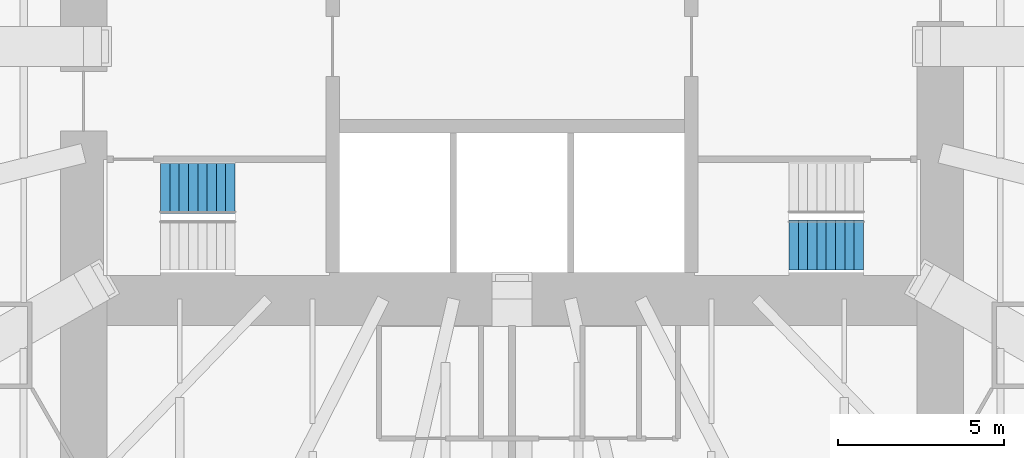
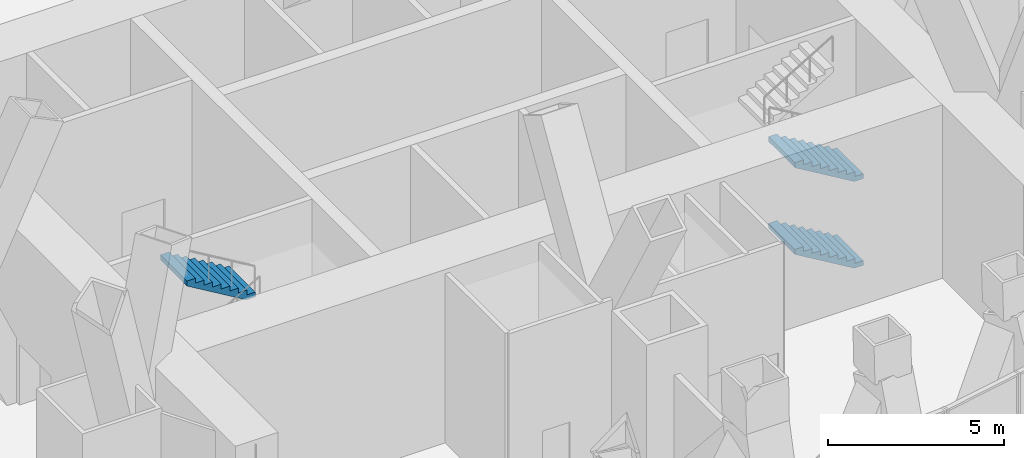
# One storey, part 17 of 19: 3 stair flights, 2 elements without a shape of their own.
"""IFC4 building model written with IfcOpenShell, lengths in metres."""

from ifc_helpers import new_model, si_unit, direction, frame, origin, place, context, subcontext, project, spatial, triangles, material, type_object, element, aggregate, save


model = new_model("IFC4")

# Units and contexts
model_context = context("Model", 3, precision=1e-05, world=origin(), true_north=direction((0.0, 1.0)))
body_context = subcontext(model_context, "Body", "Model", "MODEL_VIEW")
ifc_project = project(units=[si_unit("LENGTHUNIT", "METRE"), si_unit("AREAUNIT", "SQUARE_METRE"), si_unit("VOLUMEUNIT", "CUBIC_METRE"), si_unit("PLANEANGLEUNIT", "RADIAN"), si_unit("MASSUNIT", "GRAM", prefix="KILO")], contexts=[model_context])

# Site, building, storey
site_placement = place(None, origin())
site = spatial("IfcSite", under=ifc_project, at=site_placement, CompositionType="ELEMENT")
building_placement = place(site_placement, origin())
building = spatial("IfcBuilding", under=site, at=building_placement, Name="Lantaw Convention Tower", CompositionType="ELEMENT")
storey_placement = place(building_placement, frame((0.0, 0.0, 193.0)))
storey = spatial("IfcBuildingStorey", under=building, at=storey_placement, Name="L45", CompositionType="ELEMENT", Elevation=193.0)

# Stair, stair flight
ifc_material = material(Name="Concrete C35/45", Category="concrete")
stair_type = type_object("IfcStairType", Name="Exit stair 1500 riser 166.67 in 4 flights", PredefinedType="HALF_TURN_STAIR", material=ifc_material)
stair_1_placement = place(storey_placement, origin())
stair_1 = element("IfcStair", 1, at=stair_1_placement, inside=storey, type_object=stair_type, Name="Exit stair S1 L45", PredefinedType="HALF_TURN_STAIR")
stair_flight_type = type_object("IfcStairFlightType", Name="Stair flight 1500 riser 166.67", PredefinedType="STRAIGHT", material=ifc_material)
stair_flight_1_placement = place(storey_placement, frame((-8.340087890625, -4.280029296875, 4.5), z_axis=(0.0, 0.0, 1.0), x_axis=(-1.0, 0.0, 0.0)))
stair_flight_1 = element("IfcStairFlight", 2, at=stair_flight_1_placement, type_object=stair_flight_type, Name="S1 flight 4", NumberOfRisers=9, NumberOfTreads=8, PredefinedType="STRAIGHT", RiserHeight=0.166666667, TreadLength=0.28, context=body_context, shape_type="Tessellation", body=[
    triangles([(0.0, 0.75, 0.0), (0.0, 0.75, 0.166666667), (0.28, 0.75, 0.0), (0.28, 0.75, 0.166666667), (0.28, 0.75, 0.333333334), (0.2930734580690677, 0.75, 0.0), (0.2930734580690677, 0.75, 0.333333334), (0.56, 0.75, 0.1588848467052294), (0.56, 0.75, 0.333333334), (0.56, 0.75, 0.500000001), (0.8400000000000001, 0.75, 0.32555151370522933), (0.8400000000000001, 0.75, 0.500000001), (0.8400000000000001, 0.75, 0.666666668), (1.12, 0.75, 0.4922181807052293), (1.12, 0.75, 0.666666668), (1.12, 0.75, 0.833333335), (1.4000000000000001, 0.75, 0.6588848477052293), (1.4000000000000001, 0.75, 0.833333335), (1.4000000000000001, 0.75, 1.000000002), (1.6800000000000002, 0.75, 0.8255515147052293), (1.6800000000000002, 0.75, 1.000000002), (1.6800000000000002, 0.75, 1.166666669), (1.9600000000000002, 0.75, 0.9922181817052292), (1.9600000000000002, 0.75, 1.166666669), (1.9600000000000002, 0.75, 1.333333336), (2.24, 0.75, 1.1588848487052292), (2.24, 0.75, 1.333333336), (0.0, -0.75, 0.0), (0.0, -0.75, 0.166666667), (0.28, -0.75, 0.0), (0.28, -0.75, 0.166666667), (0.28, -0.75, 0.333333334), (0.2930734580690677, -0.75, 0.0), (0.2930734580690677, -0.75, 0.333333334), (0.56, -0.75, 0.1588848467052294), (0.56, -0.75, 0.333333334), (0.56, -0.75, 0.500000001), (0.8400000000000001, -0.75, 0.32555151370522933), (0.8400000000000001, -0.75, 0.500000001), (0.8400000000000001, -0.75, 0.666666668), (1.12, -0.75, 0.4922181807052293), (1.12, -0.75, 0.666666668), (1.12, -0.75, 0.833333335), (1.4000000000000001, -0.75, 0.6588848477052293), (1.4000000000000001, -0.75, 0.833333335), (1.4000000000000001, -0.75, 1.000000002), (1.6800000000000002, -0.75, 0.8255515147052293), (1.6800000000000002, -0.75, 1.000000002), (1.6800000000000002, -0.75, 1.166666669), (1.9600000000000002, -0.75, 0.9922181817052292), (1.9600000000000002, -0.75, 1.166666669), (1.9600000000000002, -0.75, 1.333333336), (2.24, -0.75, 1.1588848487052292), (2.24, -0.75, 1.333333336), (0.0, 0.15000000000000002, 0.166666667), (0.0, 0.15000000000000002, 0.0), (0.0, 0.0, 0.166666667), (0.0, 0.0, 0.0), (0.0, -0.15000000000000002, 0.166666667), (0.0, -0.15000000000000002, 0.0), (0.28, 0.15000000000000002, 0.333333334), (0.28, 0.15000000000000002, 0.166666667), (0.28, 0.0, 0.333333334), (0.28, 0.0, 0.166666667), (0.28, -0.15000000000000002, 0.333333334), (0.28, -0.15000000000000002, 0.166666667), (0.56, 0.15000000000000002, 0.500000001), (0.56, 0.15000000000000002, 0.333333334), (0.56, 0.0, 0.500000001), (0.56, 0.0, 0.333333334), (0.56, -0.15000000000000002, 0.500000001), (0.56, -0.15000000000000002, 0.333333334), (0.8400000000000001, 0.15000000000000002, 0.666666668), (0.8400000000000001, 0.15000000000000002, 0.500000001), (0.8400000000000001, 0.0, 0.666666668), (0.8400000000000001, 0.0, 0.500000001), (0.8400000000000001, -0.15000000000000002, 0.666666668), (0.8400000000000001, -0.15000000000000002, 0.500000001), (1.12, 0.15000000000000002, 0.833333335), (1.12, 0.15000000000000002, 0.666666668), (1.12, 0.0, 0.833333335), (1.12, 0.0, 0.666666668), (1.12, -0.15000000000000002, 0.833333335), (1.12, -0.15000000000000002, 0.666666668), (1.4000000000000001, 0.15000000000000002, 1.000000002), (1.4000000000000001, 0.15000000000000002, 0.833333335), (1.4000000000000001, 0.0, 1.000000002), (1.4000000000000001, 0.0, 0.833333335), (1.4000000000000001, -0.15000000000000002, 1.000000002), (1.4000000000000001, -0.15000000000000002, 0.833333335), (1.6800000000000002, 0.15000000000000002, 1.166666669), (1.6800000000000002, 0.15000000000000002, 1.000000002), (1.6800000000000002, 0.0, 1.166666669), (1.6800000000000002, 0.0, 1.000000002), (1.6800000000000002, -0.15000000000000002, 1.166666669), (1.6800000000000002, -0.15000000000000002, 1.000000002), (1.9600000000000002, 0.15000000000000002, 1.333333336), (1.9600000000000002, 0.15000000000000002, 1.166666669), (1.9600000000000002, 0.0, 1.333333336), (1.9600000000000002, 0.0, 1.166666669), (1.9600000000000002, -0.15000000000000002, 1.333333336), (1.9600000000000002, -0.15000000000000002, 1.166666669), (0.2930734580690677, 0.15000000000000002, 0.333333334), (0.2930734580690677, 0.0, 0.333333334), (0.2930734580690677, -0.15000000000000002, 0.333333334), (2.24, 0.15000000000000002, 1.333333336), (2.24, 0.0, 1.333333336), (2.24, -0.15000000000000002, 1.333333336), (2.24, 0.15000000000000002, 1.1588848487052292), (2.24, 0.0, 1.1588848487052292), (2.24, -0.15000000000000002, 1.1588848487052292), (1.9600000000000002, 0.15000000000000002, 0.9922181817052292), (1.9600000000000002, 0.0, 0.9922181817052292), (1.9600000000000002, -0.15000000000000002, 0.9922181817052292), (1.6800000000000002, 0.15000000000000002, 0.8255515147052293), (1.6800000000000002, 0.0, 0.8255515147052293), (1.6800000000000002, -0.15000000000000002, 0.8255515147052293), (1.4000000000000001, 0.15000000000000002, 0.6588848477052293), (1.4000000000000001, 0.0, 0.6588848477052293), (1.4000000000000001, -0.15000000000000002, 0.6588848477052293), (1.12, 0.15000000000000002, 0.4922181807052293), (1.12, 0.0, 0.4922181807052293), (1.12, -0.15000000000000002, 0.4922181807052293), (0.8400000000000001, 0.15000000000000002, 0.32555151370522933), (0.8400000000000001, 0.0, 0.32555151370522933), (0.8400000000000001, -0.15000000000000002, 0.32555151370522933), (0.56, 0.15000000000000002, 0.1588848467052294), (0.56, 0.0, 0.1588848467052294), (0.56, -0.15000000000000002, 0.1588848467052294), (0.2930734580690677, 0.15000000000000002, 0.0), (0.2930734580690677, 0.0, 0.0), (0.2930734580690677, -0.15000000000000002, 0.0), (0.28, 0.15000000000000002, 0.0), (0.28, 0.0, 0.0), (0.28, -0.15000000000000002, 0.0)], [[1, 4, 3], [1, 2, 4], [3, 4, 6], [4, 7, 6], [4, 5, 7], [6, 9, 8], [6, 7, 9], [8, 9, 11], [9, 12, 11], [9, 10, 12], [11, 12, 14], [12, 15, 14], [12, 13, 15], [14, 15, 17], [15, 18, 17], [15, 16, 18], [17, 18, 20], [18, 21, 20], [18, 19, 21], [20, 21, 23], [21, 24, 23], [21, 22, 24], [23, 24, 26], [24, 27, 26], [24, 25, 27], [28, 30, 31], [28, 31, 29], [30, 33, 31], [31, 33, 34], [31, 34, 32], [33, 35, 36], [33, 36, 34], [35, 38, 36], [36, 38, 39], [36, 39, 37], [38, 41, 39], [39, 41, 42], [39, 42, 40], [41, 44, 42], [42, 44, 45], [42, 45, 43], [44, 47, 45], [45, 47, 48], [45, 48, 46], [47, 50, 48], [48, 50, 51], [48, 51, 49], [50, 53, 51], [51, 53, 54], [51, 54, 52], [1, 55, 2], [1, 56, 55], [56, 57, 55], [56, 58, 57], [58, 59, 57], [58, 60, 59], [60, 29, 59], [60, 28, 29], [4, 61, 5], [4, 62, 61], [62, 63, 61], [62, 64, 63], [64, 65, 63], [64, 66, 65], [66, 32, 65], [66, 31, 32], [9, 67, 10], [9, 68, 67], [68, 69, 67], [68, 70, 69], [70, 71, 69], [70, 72, 71], [72, 37, 71], [72, 36, 37], [12, 73, 13], [12, 74, 73], [74, 75, 73], [74, 76, 75], [76, 77, 75], [76, 78, 77], [78, 40, 77], [78, 39, 40], [15, 79, 16], [15, 80, 79], [80, 81, 79], [80, 82, 81], [82, 83, 81], [82, 84, 83], [84, 43, 83], [84, 42, 43], [18, 85, 19], [18, 86, 85], [86, 87, 85], [86, 88, 87], [88, 89, 87], [88, 90, 89], [90, 46, 89], [90, 45, 46], [21, 91, 22], [21, 92, 91], [92, 93, 91], [92, 94, 93], [94, 95, 93], [94, 96, 95], [96, 49, 95], [96, 48, 49], [24, 97, 25], [24, 98, 97], [98, 99, 97], [98, 100, 99], [100, 101, 99], [100, 102, 101], [102, 52, 101], [102, 51, 52], [2, 62, 4], [2, 55, 62], [55, 64, 62], [55, 57, 64], [57, 66, 64], [57, 59, 66], [59, 31, 66], [59, 29, 31], [5, 103, 7], [5, 61, 103], [61, 104, 103], [61, 63, 104], [63, 105, 104], [63, 65, 105], [65, 34, 105], [65, 32, 34], [7, 68, 9], [7, 103, 68], [103, 70, 68], [103, 104, 70], [104, 72, 70], [104, 105, 72], [105, 36, 72], [105, 34, 36], [10, 74, 12], [10, 67, 74], [67, 76, 74], [67, 69, 76], [69, 78, 76], [69, 71, 78], [71, 39, 78], [71, 37, 39], [13, 80, 15], [13, 73, 80], [73, 82, 80], [73, 75, 82], [75, 84, 82], [75, 77, 84], [77, 42, 84], [77, 40, 42], [16, 86, 18], [16, 79, 86], [79, 88, 86], [79, 81, 88], [81, 90, 88], [81, 83, 90], [83, 45, 90], [83, 43, 45], [19, 92, 21], [19, 85, 92], [85, 94, 92], [85, 87, 94], [87, 96, 94], [87, 89, 96], [89, 48, 96], [89, 46, 48], [22, 98, 24], [22, 91, 98], [91, 100, 98], [91, 93, 100], [93, 102, 100], [93, 95, 102], [95, 51, 102], [95, 49, 51], [25, 106, 27], [25, 97, 106], [97, 107, 106], [97, 99, 107], [99, 108, 107], [99, 101, 108], [101, 54, 108], [101, 52, 54], [27, 109, 26], [27, 106, 109], [106, 110, 109], [106, 107, 110], [107, 111, 110], [107, 108, 111], [108, 53, 111], [108, 54, 53], [26, 112, 23], [26, 109, 112], [109, 113, 112], [109, 110, 113], [110, 114, 113], [110, 111, 114], [111, 50, 114], [111, 53, 50], [23, 115, 20], [23, 112, 115], [112, 116, 115], [112, 113, 116], [113, 117, 116], [113, 114, 117], [114, 47, 117], [114, 50, 47], [20, 118, 17], [20, 115, 118], [115, 119, 118], [115, 116, 119], [116, 120, 119], [116, 117, 120], [117, 44, 120], [117, 47, 44], [17, 121, 14], [17, 118, 121], [118, 122, 121], [118, 119, 122], [119, 123, 122], [119, 120, 123], [120, 41, 123], [120, 44, 41], [14, 124, 11], [14, 121, 124], [121, 125, 124], [121, 122, 125], [122, 126, 125], [122, 123, 126], [123, 38, 126], [123, 41, 38], [11, 127, 8], [11, 124, 127], [124, 128, 127], [124, 125, 128], [125, 129, 128], [125, 126, 129], [126, 35, 129], [126, 38, 35], [8, 130, 6], [8, 127, 130], [127, 131, 130], [127, 128, 131], [128, 132, 131], [128, 129, 132], [129, 33, 132], [129, 35, 33], [6, 133, 3], [6, 130, 133], [130, 134, 133], [130, 131, 134], [131, 135, 134], [131, 132, 135], [132, 30, 135], [132, 33, 30], [3, 56, 1], [3, 133, 56], [133, 58, 56], [133, 134, 58], [134, 60, 58], [134, 135, 60], [135, 28, 60], [135, 30, 28]], closed=True),
])
aggregate(stair_1, [stair_flight_1])

# Stair, stair flights
stair_2_placement = place(storey_placement, origin())
stair_2 = element("IfcStair", 3, at=stair_2_placement, inside=storey, type_object=stair_type, Name="Exit stair S2 L45", PredefinedType="HALF_TURN_STAIR")
stair_flight_2_placement = place(storey_placement, frame((10.580078125, -5.97998046875, 0.0), z_axis=(0.0, 0.0, 1.0), x_axis=(-1.0, 0.0, 0.0)))
stair_flight_2 = element("IfcStairFlight", 4, at=stair_flight_2_placement, type_object=stair_flight_type, Name="S2 flight 1", NumberOfRisers=9, NumberOfTreads=8, PredefinedType="STRAIGHT", RiserHeight=0.166666667, TreadLength=0.28, context=body_context, shape_type="Tessellation", body=[
    triangles([(0.0, 0.75, 0.0), (0.0, 0.75, 0.166666667), (0.28, 0.75, 0.0), (0.28, 0.75, 0.166666667), (0.28, 0.75, 0.333333334), (0.2930734580690677, 0.75, 0.0), (0.2930734580690677, 0.75, 0.333333334), (0.56, 0.75, 0.1588848467052294), (0.56, 0.75, 0.333333334), (0.56, 0.75, 0.500000001), (0.8400000000000001, 0.75, 0.32555151370522933), (0.8400000000000001, 0.75, 0.500000001), (0.8400000000000001, 0.75, 0.666666668), (1.12, 0.75, 0.4922181807052293), (1.12, 0.75, 0.666666668), (1.12, 0.75, 0.833333335), (1.4000000000000001, 0.75, 0.6588848477052293), (1.4000000000000001, 0.75, 0.833333335), (1.4000000000000001, 0.75, 1.000000002), (1.6800000000000002, 0.75, 0.8255515147052293), (1.6800000000000002, 0.75, 1.000000002), (1.6800000000000002, 0.75, 1.166666669), (1.9600000000000002, 0.75, 0.9922181817052292), (1.9600000000000002, 0.75, 1.166666669), (1.9600000000000002, 0.75, 1.333333336), (2.24, 0.75, 1.1588848487052292), (2.24, 0.75, 1.333333336), (0.0, -0.75, 0.0), (0.0, -0.75, 0.166666667), (0.28, -0.75, 0.0), (0.28, -0.75, 0.166666667), (0.28, -0.75, 0.333333334), (0.2930734580690677, -0.75, 0.0), (0.2930734580690677, -0.75, 0.333333334), (0.56, -0.75, 0.1588848467052294), (0.56, -0.75, 0.333333334), (0.56, -0.75, 0.500000001), (0.8400000000000001, -0.75, 0.32555151370522933), (0.8400000000000001, -0.75, 0.500000001), (0.8400000000000001, -0.75, 0.666666668), (1.12, -0.75, 0.4922181807052293), (1.12, -0.75, 0.666666668), (1.12, -0.75, 0.833333335), (1.4000000000000001, -0.75, 0.6588848477052293), (1.4000000000000001, -0.75, 0.833333335), (1.4000000000000001, -0.75, 1.000000002), (1.6800000000000002, -0.75, 0.8255515147052293), (1.6800000000000002, -0.75, 1.000000002), (1.6800000000000002, -0.75, 1.166666669), (1.9600000000000002, -0.75, 0.9922181817052292), (1.9600000000000002, -0.75, 1.166666669), (1.9600000000000002, -0.75, 1.333333336), (2.24, -0.75, 1.1588848487052292), (2.24, -0.75, 1.333333336), (0.0, 0.15000000000000002, 0.166666667), (0.0, 0.15000000000000002, 0.0), (0.0, 0.0, 0.166666667), (0.0, 0.0, 0.0), (0.0, -0.15000000000000002, 0.166666667), (0.0, -0.15000000000000002, 0.0), (0.28, 0.15000000000000002, 0.333333334), (0.28, 0.15000000000000002, 0.166666667), (0.28, 0.0, 0.333333334), (0.28, 0.0, 0.166666667), (0.28, -0.15000000000000002, 0.333333334), (0.28, -0.15000000000000002, 0.166666667), (0.56, 0.15000000000000002, 0.500000001), (0.56, 0.15000000000000002, 0.333333334), (0.56, 0.0, 0.500000001), (0.56, 0.0, 0.333333334), (0.56, -0.15000000000000002, 0.500000001), (0.56, -0.15000000000000002, 0.333333334), (0.8400000000000001, 0.15000000000000002, 0.666666668), (0.8400000000000001, 0.15000000000000002, 0.500000001), (0.8400000000000001, 0.0, 0.666666668), (0.8400000000000001, 0.0, 0.500000001), (0.8400000000000001, -0.15000000000000002, 0.666666668), (0.8400000000000001, -0.15000000000000002, 0.500000001), (1.12, 0.15000000000000002, 0.833333335), (1.12, 0.15000000000000002, 0.666666668), (1.12, 0.0, 0.833333335), (1.12, 0.0, 0.666666668), (1.12, -0.15000000000000002, 0.833333335), (1.12, -0.15000000000000002, 0.666666668), (1.4000000000000001, 0.15000000000000002, 1.000000002), (1.4000000000000001, 0.15000000000000002, 0.833333335), (1.4000000000000001, 0.0, 1.000000002), (1.4000000000000001, 0.0, 0.833333335), (1.4000000000000001, -0.15000000000000002, 1.000000002), (1.4000000000000001, -0.15000000000000002, 0.833333335), (1.6800000000000002, 0.15000000000000002, 1.166666669), (1.6800000000000002, 0.15000000000000002, 1.000000002), (1.6800000000000002, 0.0, 1.166666669), (1.6800000000000002, 0.0, 1.000000002), (1.6800000000000002, -0.15000000000000002, 1.166666669), (1.6800000000000002, -0.15000000000000002, 1.000000002), (1.9600000000000002, 0.15000000000000002, 1.333333336), (1.9600000000000002, 0.15000000000000002, 1.166666669), (1.9600000000000002, 0.0, 1.333333336), (1.9600000000000002, 0.0, 1.166666669), (1.9600000000000002, -0.15000000000000002, 1.333333336), (1.9600000000000002, -0.15000000000000002, 1.166666669), (0.2930734580690677, 0.15000000000000002, 0.333333334), (0.2930734580690677, 0.0, 0.333333334), (0.2930734580690677, -0.15000000000000002, 0.333333334), (2.24, 0.15000000000000002, 1.333333336), (2.24, 0.0, 1.333333336), (2.24, -0.15000000000000002, 1.333333336), (2.24, 0.15000000000000002, 1.1588848487052292), (2.24, 0.0, 1.1588848487052292), (2.24, -0.15000000000000002, 1.1588848487052292), (1.9600000000000002, 0.15000000000000002, 0.9922181817052292), (1.9600000000000002, 0.0, 0.9922181817052292), (1.9600000000000002, -0.15000000000000002, 0.9922181817052292), (1.6800000000000002, 0.15000000000000002, 0.8255515147052293), (1.6800000000000002, 0.0, 0.8255515147052293), (1.6800000000000002, -0.15000000000000002, 0.8255515147052293), (1.4000000000000001, 0.15000000000000002, 0.6588848477052293), (1.4000000000000001, 0.0, 0.6588848477052293), (1.4000000000000001, -0.15000000000000002, 0.6588848477052293), (1.12, 0.15000000000000002, 0.4922181807052293), (1.12, 0.0, 0.4922181807052293), (1.12, -0.15000000000000002, 0.4922181807052293), (0.8400000000000001, 0.15000000000000002, 0.32555151370522933), (0.8400000000000001, 0.0, 0.32555151370522933), (0.8400000000000001, -0.15000000000000002, 0.32555151370522933), (0.56, 0.15000000000000002, 0.1588848467052294), (0.56, 0.0, 0.1588848467052294), (0.56, -0.15000000000000002, 0.1588848467052294), (0.2930734580690677, 0.15000000000000002, 0.0), (0.2930734580690677, 0.0, 0.0), (0.2930734580690677, -0.15000000000000002, 0.0), (0.28, 0.15000000000000002, 0.0), (0.28, 0.0, 0.0), (0.28, -0.15000000000000002, 0.0)], [[1, 4, 3], [1, 2, 4], [3, 4, 6], [4, 7, 6], [4, 5, 7], [6, 9, 8], [6, 7, 9], [8, 9, 11], [9, 12, 11], [9, 10, 12], [11, 12, 14], [12, 15, 14], [12, 13, 15], [14, 15, 17], [15, 18, 17], [15, 16, 18], [17, 18, 20], [18, 21, 20], [18, 19, 21], [20, 21, 23], [21, 24, 23], [21, 22, 24], [23, 24, 26], [24, 27, 26], [24, 25, 27], [28, 30, 31], [28, 31, 29], [30, 33, 31], [31, 33, 34], [31, 34, 32], [33, 35, 36], [33, 36, 34], [35, 38, 36], [36, 38, 39], [36, 39, 37], [38, 41, 39], [39, 41, 42], [39, 42, 40], [41, 44, 42], [42, 44, 45], [42, 45, 43], [44, 47, 45], [45, 47, 48], [45, 48, 46], [47, 50, 48], [48, 50, 51], [48, 51, 49], [50, 53, 51], [51, 53, 54], [51, 54, 52], [1, 55, 2], [1, 56, 55], [56, 57, 55], [56, 58, 57], [58, 59, 57], [58, 60, 59], [60, 29, 59], [60, 28, 29], [4, 61, 5], [4, 62, 61], [62, 63, 61], [62, 64, 63], [64, 65, 63], [64, 66, 65], [66, 32, 65], [66, 31, 32], [9, 67, 10], [9, 68, 67], [68, 69, 67], [68, 70, 69], [70, 71, 69], [70, 72, 71], [72, 37, 71], [72, 36, 37], [12, 73, 13], [12, 74, 73], [74, 75, 73], [74, 76, 75], [76, 77, 75], [76, 78, 77], [78, 40, 77], [78, 39, 40], [15, 79, 16], [15, 80, 79], [80, 81, 79], [80, 82, 81], [82, 83, 81], [82, 84, 83], [84, 43, 83], [84, 42, 43], [18, 85, 19], [18, 86, 85], [86, 87, 85], [86, 88, 87], [88, 89, 87], [88, 90, 89], [90, 46, 89], [90, 45, 46], [21, 91, 22], [21, 92, 91], [92, 93, 91], [92, 94, 93], [94, 95, 93], [94, 96, 95], [96, 49, 95], [96, 48, 49], [24, 97, 25], [24, 98, 97], [98, 99, 97], [98, 100, 99], [100, 101, 99], [100, 102, 101], [102, 52, 101], [102, 51, 52], [2, 62, 4], [2, 55, 62], [55, 64, 62], [55, 57, 64], [57, 66, 64], [57, 59, 66], [59, 31, 66], [59, 29, 31], [5, 103, 7], [5, 61, 103], [61, 104, 103], [61, 63, 104], [63, 105, 104], [63, 65, 105], [65, 34, 105], [65, 32, 34], [7, 68, 9], [7, 103, 68], [103, 70, 68], [103, 104, 70], [104, 72, 70], [104, 105, 72], [105, 36, 72], [105, 34, 36], [10, 74, 12], [10, 67, 74], [67, 76, 74], [67, 69, 76], [69, 78, 76], [69, 71, 78], [71, 39, 78], [71, 37, 39], [13, 80, 15], [13, 73, 80], [73, 82, 80], [73, 75, 82], [75, 84, 82], [75, 77, 84], [77, 42, 84], [77, 40, 42], [16, 86, 18], [16, 79, 86], [79, 88, 86], [79, 81, 88], [81, 90, 88], [81, 83, 90], [83, 45, 90], [83, 43, 45], [19, 92, 21], [19, 85, 92], [85, 94, 92], [85, 87, 94], [87, 96, 94], [87, 89, 96], [89, 48, 96], [89, 46, 48], [22, 98, 24], [22, 91, 98], [91, 100, 98], [91, 93, 100], [93, 102, 100], [93, 95, 102], [95, 51, 102], [95, 49, 51], [25, 106, 27], [25, 97, 106], [97, 107, 106], [97, 99, 107], [99, 108, 107], [99, 101, 108], [101, 54, 108], [101, 52, 54], [27, 109, 26], [27, 106, 109], [106, 110, 109], [106, 107, 110], [107, 111, 110], [107, 108, 111], [108, 53, 111], [108, 54, 53], [26, 112, 23], [26, 109, 112], [109, 113, 112], [109, 110, 113], [110, 114, 113], [110, 111, 114], [111, 50, 114], [111, 53, 50], [23, 115, 20], [23, 112, 115], [112, 116, 115], [112, 113, 116], [113, 117, 116], [113, 114, 117], [114, 47, 117], [114, 50, 47], [20, 118, 17], [20, 115, 118], [115, 119, 118], [115, 116, 119], [116, 120, 119], [116, 117, 120], [117, 44, 120], [117, 47, 44], [17, 121, 14], [17, 118, 121], [118, 122, 121], [118, 119, 122], [119, 123, 122], [119, 120, 123], [120, 41, 123], [120, 44, 41], [14, 124, 11], [14, 121, 124], [121, 125, 124], [121, 122, 125], [122, 126, 125], [122, 123, 126], [123, 38, 126], [123, 41, 38], [11, 127, 8], [11, 124, 127], [124, 128, 127], [124, 125, 128], [125, 129, 128], [125, 126, 129], [126, 35, 129], [126, 38, 35], [8, 130, 6], [8, 127, 130], [127, 131, 130], [127, 128, 131], [128, 132, 131], [128, 129, 132], [129, 33, 132], [129, 35, 33], [6, 133, 3], [6, 130, 133], [130, 134, 133], [130, 131, 134], [131, 135, 134], [131, 132, 135], [132, 30, 135], [132, 33, 30], [3, 56, 1], [3, 133, 56], [133, 58, 56], [133, 134, 58], [134, 60, 58], [134, 135, 60], [135, 28, 60], [135, 30, 28]], closed=True),
])
stair_flight_3_placement = place(storey_placement, frame((10.580078125, -5.97998046875, 3.0), z_axis=(0.0, 0.0, 1.0), x_axis=(-1.0, 0.0, 0.0)))
stair_flight_3 = element("IfcStairFlight", 5, at=stair_flight_3_placement, type_object=stair_flight_type, Name="S2 flight 3", NumberOfRisers=9, NumberOfTreads=8, PredefinedType="STRAIGHT", RiserHeight=0.166666667, TreadLength=0.28, context=body_context, shape_type="Tessellation", body=[
    triangles([(0.0, 0.75, 0.0), (0.0, 0.75, 0.166666667), (0.28, 0.75, 0.0), (0.28, 0.75, 0.166666667), (0.28, 0.75, 0.333333334), (0.2930734580690677, 0.75, 0.0), (0.2930734580690677, 0.75, 0.333333334), (0.56, 0.75, 0.1588848467052294), (0.56, 0.75, 0.333333334), (0.56, 0.75, 0.500000001), (0.8400000000000001, 0.75, 0.32555151370522933), (0.8400000000000001, 0.75, 0.500000001), (0.8400000000000001, 0.75, 0.666666668), (1.12, 0.75, 0.4922181807052293), (1.12, 0.75, 0.666666668), (1.12, 0.75, 0.833333335), (1.4000000000000001, 0.75, 0.6588848477052293), (1.4000000000000001, 0.75, 0.833333335), (1.4000000000000001, 0.75, 1.000000002), (1.6800000000000002, 0.75, 0.8255515147052293), (1.6800000000000002, 0.75, 1.000000002), (1.6800000000000002, 0.75, 1.166666669), (1.9600000000000002, 0.75, 0.9922181817052292), (1.9600000000000002, 0.75, 1.166666669), (1.9600000000000002, 0.75, 1.333333336), (2.24, 0.75, 1.1588848487052292), (2.24, 0.75, 1.333333336), (0.0, -0.75, 0.0), (0.0, -0.75, 0.166666667), (0.28, -0.75, 0.0), (0.28, -0.75, 0.166666667), (0.28, -0.75, 0.333333334), (0.2930734580690677, -0.75, 0.0), (0.2930734580690677, -0.75, 0.333333334), (0.56, -0.75, 0.1588848467052294), (0.56, -0.75, 0.333333334), (0.56, -0.75, 0.500000001), (0.8400000000000001, -0.75, 0.32555151370522933), (0.8400000000000001, -0.75, 0.500000001), (0.8400000000000001, -0.75, 0.666666668), (1.12, -0.75, 0.4922181807052293), (1.12, -0.75, 0.666666668), (1.12, -0.75, 0.833333335), (1.4000000000000001, -0.75, 0.6588848477052293), (1.4000000000000001, -0.75, 0.833333335), (1.4000000000000001, -0.75, 1.000000002), (1.6800000000000002, -0.75, 0.8255515147052293), (1.6800000000000002, -0.75, 1.000000002), (1.6800000000000002, -0.75, 1.166666669), (1.9600000000000002, -0.75, 0.9922181817052292), (1.9600000000000002, -0.75, 1.166666669), (1.9600000000000002, -0.75, 1.333333336), (2.24, -0.75, 1.1588848487052292), (2.24, -0.75, 1.333333336), (0.0, 0.15000000000000002, 0.166666667), (0.0, 0.15000000000000002, 0.0), (0.0, 0.0, 0.166666667), (0.0, 0.0, 0.0), (0.0, -0.15000000000000002, 0.166666667), (0.0, -0.15000000000000002, 0.0), (0.28, 0.15000000000000002, 0.333333334), (0.28, 0.15000000000000002, 0.166666667), (0.28, 0.0, 0.333333334), (0.28, 0.0, 0.166666667), (0.28, -0.15000000000000002, 0.333333334), (0.28, -0.15000000000000002, 0.166666667), (0.56, 0.15000000000000002, 0.500000001), (0.56, 0.15000000000000002, 0.333333334), (0.56, 0.0, 0.500000001), (0.56, 0.0, 0.333333334), (0.56, -0.15000000000000002, 0.500000001), (0.56, -0.15000000000000002, 0.333333334), (0.8400000000000001, 0.15000000000000002, 0.666666668), (0.8400000000000001, 0.15000000000000002, 0.500000001), (0.8400000000000001, 0.0, 0.666666668), (0.8400000000000001, 0.0, 0.500000001), (0.8400000000000001, -0.15000000000000002, 0.666666668), (0.8400000000000001, -0.15000000000000002, 0.500000001), (1.12, 0.15000000000000002, 0.833333335), (1.12, 0.15000000000000002, 0.666666668), (1.12, 0.0, 0.833333335), (1.12, 0.0, 0.666666668), (1.12, -0.15000000000000002, 0.833333335), (1.12, -0.15000000000000002, 0.666666668), (1.4000000000000001, 0.15000000000000002, 1.000000002), (1.4000000000000001, 0.15000000000000002, 0.833333335), (1.4000000000000001, 0.0, 1.000000002), (1.4000000000000001, 0.0, 0.833333335), (1.4000000000000001, -0.15000000000000002, 1.000000002), (1.4000000000000001, -0.15000000000000002, 0.833333335), (1.6800000000000002, 0.15000000000000002, 1.166666669), (1.6800000000000002, 0.15000000000000002, 1.000000002), (1.6800000000000002, 0.0, 1.166666669), (1.6800000000000002, 0.0, 1.000000002), (1.6800000000000002, -0.15000000000000002, 1.166666669), (1.6800000000000002, -0.15000000000000002, 1.000000002), (1.9600000000000002, 0.15000000000000002, 1.333333336), (1.9600000000000002, 0.15000000000000002, 1.166666669), (1.9600000000000002, 0.0, 1.333333336), (1.9600000000000002, 0.0, 1.166666669), (1.9600000000000002, -0.15000000000000002, 1.333333336), (1.9600000000000002, -0.15000000000000002, 1.166666669), (0.2930734580690677, 0.15000000000000002, 0.333333334), (0.2930734580690677, 0.0, 0.333333334), (0.2930734580690677, -0.15000000000000002, 0.333333334), (2.24, 0.15000000000000002, 1.333333336), (2.24, 0.0, 1.333333336), (2.24, -0.15000000000000002, 1.333333336), (2.24, 0.15000000000000002, 1.1588848487052292), (2.24, 0.0, 1.1588848487052292), (2.24, -0.15000000000000002, 1.1588848487052292), (1.9600000000000002, 0.15000000000000002, 0.9922181817052292), (1.9600000000000002, 0.0, 0.9922181817052292), (1.9600000000000002, -0.15000000000000002, 0.9922181817052292), (1.6800000000000002, 0.15000000000000002, 0.8255515147052293), (1.6800000000000002, 0.0, 0.8255515147052293), (1.6800000000000002, -0.15000000000000002, 0.8255515147052293), (1.4000000000000001, 0.15000000000000002, 0.6588848477052293), (1.4000000000000001, 0.0, 0.6588848477052293), (1.4000000000000001, -0.15000000000000002, 0.6588848477052293), (1.12, 0.15000000000000002, 0.4922181807052293), (1.12, 0.0, 0.4922181807052293), (1.12, -0.15000000000000002, 0.4922181807052293), (0.8400000000000001, 0.15000000000000002, 0.32555151370522933), (0.8400000000000001, 0.0, 0.32555151370522933), (0.8400000000000001, -0.15000000000000002, 0.32555151370522933), (0.56, 0.15000000000000002, 0.1588848467052294), (0.56, 0.0, 0.1588848467052294), (0.56, -0.15000000000000002, 0.1588848467052294), (0.2930734580690677, 0.15000000000000002, 0.0), (0.2930734580690677, 0.0, 0.0), (0.2930734580690677, -0.15000000000000002, 0.0), (0.28, 0.15000000000000002, 0.0), (0.28, 0.0, 0.0), (0.28, -0.15000000000000002, 0.0)], [[1, 4, 3], [1, 2, 4], [3, 4, 6], [4, 7, 6], [4, 5, 7], [6, 9, 8], [6, 7, 9], [8, 9, 11], [9, 12, 11], [9, 10, 12], [11, 12, 14], [12, 15, 14], [12, 13, 15], [14, 15, 17], [15, 18, 17], [15, 16, 18], [17, 18, 20], [18, 21, 20], [18, 19, 21], [20, 21, 23], [21, 24, 23], [21, 22, 24], [23, 24, 26], [24, 27, 26], [24, 25, 27], [28, 30, 31], [28, 31, 29], [30, 33, 31], [31, 33, 34], [31, 34, 32], [33, 35, 36], [33, 36, 34], [35, 38, 36], [36, 38, 39], [36, 39, 37], [38, 41, 39], [39, 41, 42], [39, 42, 40], [41, 44, 42], [42, 44, 45], [42, 45, 43], [44, 47, 45], [45, 47, 48], [45, 48, 46], [47, 50, 48], [48, 50, 51], [48, 51, 49], [50, 53, 51], [51, 53, 54], [51, 54, 52], [1, 55, 2], [1, 56, 55], [56, 57, 55], [56, 58, 57], [58, 59, 57], [58, 60, 59], [60, 29, 59], [60, 28, 29], [4, 61, 5], [4, 62, 61], [62, 63, 61], [62, 64, 63], [64, 65, 63], [64, 66, 65], [66, 32, 65], [66, 31, 32], [9, 67, 10], [9, 68, 67], [68, 69, 67], [68, 70, 69], [70, 71, 69], [70, 72, 71], [72, 37, 71], [72, 36, 37], [12, 73, 13], [12, 74, 73], [74, 75, 73], [74, 76, 75], [76, 77, 75], [76, 78, 77], [78, 40, 77], [78, 39, 40], [15, 79, 16], [15, 80, 79], [80, 81, 79], [80, 82, 81], [82, 83, 81], [82, 84, 83], [84, 43, 83], [84, 42, 43], [18, 85, 19], [18, 86, 85], [86, 87, 85], [86, 88, 87], [88, 89, 87], [88, 90, 89], [90, 46, 89], [90, 45, 46], [21, 91, 22], [21, 92, 91], [92, 93, 91], [92, 94, 93], [94, 95, 93], [94, 96, 95], [96, 49, 95], [96, 48, 49], [24, 97, 25], [24, 98, 97], [98, 99, 97], [98, 100, 99], [100, 101, 99], [100, 102, 101], [102, 52, 101], [102, 51, 52], [2, 62, 4], [2, 55, 62], [55, 64, 62], [55, 57, 64], [57, 66, 64], [57, 59, 66], [59, 31, 66], [59, 29, 31], [5, 103, 7], [5, 61, 103], [61, 104, 103], [61, 63, 104], [63, 105, 104], [63, 65, 105], [65, 34, 105], [65, 32, 34], [7, 68, 9], [7, 103, 68], [103, 70, 68], [103, 104, 70], [104, 72, 70], [104, 105, 72], [105, 36, 72], [105, 34, 36], [10, 74, 12], [10, 67, 74], [67, 76, 74], [67, 69, 76], [69, 78, 76], [69, 71, 78], [71, 39, 78], [71, 37, 39], [13, 80, 15], [13, 73, 80], [73, 82, 80], [73, 75, 82], [75, 84, 82], [75, 77, 84], [77, 42, 84], [77, 40, 42], [16, 86, 18], [16, 79, 86], [79, 88, 86], [79, 81, 88], [81, 90, 88], [81, 83, 90], [83, 45, 90], [83, 43, 45], [19, 92, 21], [19, 85, 92], [85, 94, 92], [85, 87, 94], [87, 96, 94], [87, 89, 96], [89, 48, 96], [89, 46, 48], [22, 98, 24], [22, 91, 98], [91, 100, 98], [91, 93, 100], [93, 102, 100], [93, 95, 102], [95, 51, 102], [95, 49, 51], [25, 106, 27], [25, 97, 106], [97, 107, 106], [97, 99, 107], [99, 108, 107], [99, 101, 108], [101, 54, 108], [101, 52, 54], [27, 109, 26], [27, 106, 109], [106, 110, 109], [106, 107, 110], [107, 111, 110], [107, 108, 111], [108, 53, 111], [108, 54, 53], [26, 112, 23], [26, 109, 112], [109, 113, 112], [109, 110, 113], [110, 114, 113], [110, 111, 114], [111, 50, 114], [111, 53, 50], [23, 115, 20], [23, 112, 115], [112, 116, 115], [112, 113, 116], [113, 117, 116], [113, 114, 117], [114, 47, 117], [114, 50, 47], [20, 118, 17], [20, 115, 118], [115, 119, 118], [115, 116, 119], [116, 120, 119], [116, 117, 120], [117, 44, 120], [117, 47, 44], [17, 121, 14], [17, 118, 121], [118, 122, 121], [118, 119, 122], [119, 123, 122], [119, 120, 123], [120, 41, 123], [120, 44, 41], [14, 124, 11], [14, 121, 124], [121, 125, 124], [121, 122, 125], [122, 126, 125], [122, 123, 126], [123, 38, 126], [123, 41, 38], [11, 127, 8], [11, 124, 127], [124, 128, 127], [124, 125, 128], [125, 129, 128], [125, 126, 129], [126, 35, 129], [126, 38, 35], [8, 130, 6], [8, 127, 130], [127, 131, 130], [127, 128, 131], [128, 132, 131], [128, 129, 132], [129, 33, 132], [129, 35, 33], [6, 133, 3], [6, 130, 133], [130, 134, 133], [130, 131, 134], [131, 135, 134], [131, 132, 135], [132, 30, 135], [132, 33, 30], [3, 56, 1], [3, 133, 56], [133, 58, 56], [133, 134, 58], [134, 60, 58], [134, 135, 60], [135, 28, 60], [135, 30, 28]], closed=True),
])
aggregate(stair_2, [stair_flight_2, stair_flight_3])

save(model, "model.ifc")
